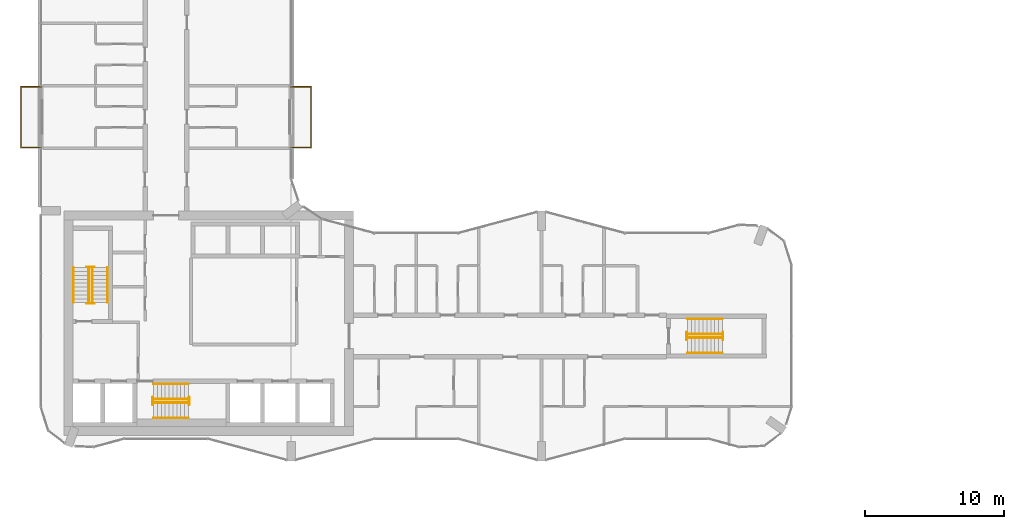
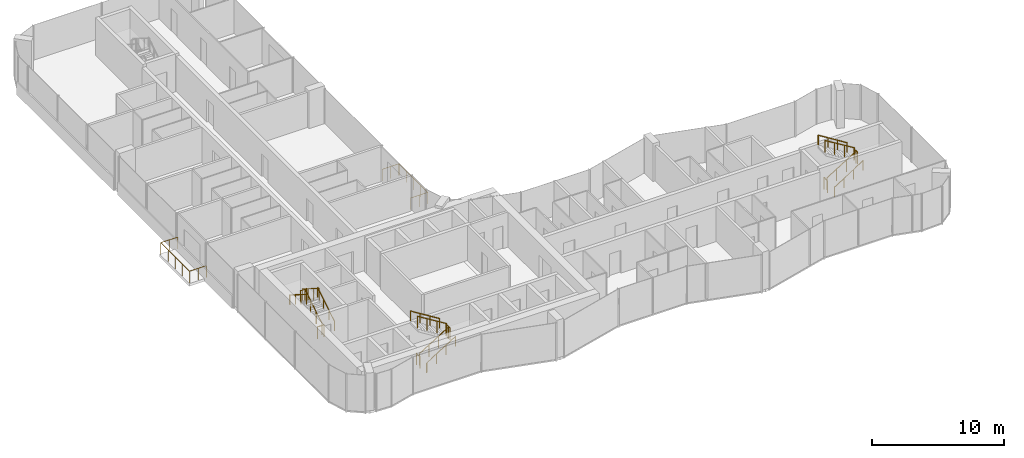
# One storey, part 20 of 22: 20 railings.
"""IFC4 building model written with IfcOpenShell, lengths in metres."""

import ifcopenshell
import ifcopenshell.guid

model = None  # the IFC model being written
_history = None  # IfcOwnerHistory: only IFC2X3 demands one
_inside = {}  # id of a spatial element -> (the spatial element, [elements in it])
_under = {}  # id of a project, library or spatial element -> (it, [spatial elements below it])
_declared = {}  # id of a project -> (the project, [libraries it declares])
_typed = {}  # id of a type object -> (the type object, [elements of that type])
_made_of = {}  # id of a material, layer set ... -> (it, [elements and type objects made of it])


def new_model(schema):
    """Start an empty IFC model of exactly this schema.

    Asked for "IFC4X3", IfcOpenShell would pick the latest addendum, in which some entities
    have other attributes; the version numbers below select the first issue.
    IFC2X3 requires an IfcOwnerHistory on every rooted entity: one is made here for all.
    """
    global model, _history
    if schema == "IFC4X3":
        model = ifcopenshell.file(schema_version=(4, 3, 0, 0))
    else:
        model = ifcopenshell.file(schema=schema)
    _inside.clear()
    _under.clear()
    _declared.clear()
    _typed.clear()
    _made_of.clear()
    _history = None
    if model.schema == "IFC2X3":
        org = make("IfcOrganization", Name="unknown")
        user = make(
            "IfcPersonAndOrganization",
            ThePerson=make("IfcPerson", FamilyName="unknown"),
            TheOrganization=org,
        )
        app = make(
            "IfcApplication",
            ApplicationDeveloper=org,
            Version="unknown",
            ApplicationFullName="unknown",
            ApplicationIdentifier="unknown",
        )
        _history = make(
            "IfcOwnerHistory",
            OwningUser=user,
            OwningApplication=app,
            ChangeAction="ADDED",
            CreationDate=0,
        )
    return model


def make(cls, **values):
    """One entity of the class cls with the attributes given. An attribute that is None is left unset."""
    return model.create_entity(
        cls, **{name: value for name, value in values.items() if value is not None}
    )


def rooted(cls, **values):
    """An entity with a GlobalId (a new one), such as an element, a storey or a relation."""
    return make(cls, GlobalId=ifcopenshell.guid.new(), OwnerHistory=_history, **values)


def si_unit(unit_type, name, prefix=None):
    """IfcSIUnit, for example si_unit("LENGTHUNIT", "METRE", prefix="MILLI")."""
    return make("IfcSIUnit", UnitType=unit_type, Prefix=prefix, Name=name)


def assignment(units):
    """IfcUnitAssignment: the units of a project."""
    return None if units is None else make("IfcUnitAssignment", Units=units)


def point(xyz):
    """IfcCartesianPoint."""
    return None if xyz is None else make("IfcCartesianPoint", Coordinates=xyz)


def direction(xyz):
    """IfcDirection."""
    return None if xyz is None else make("IfcDirection", DirectionRatios=xyz)


def frame(location, z_axis=None, x_axis=None):
    """IfcAxis2Placement3D, a coordinate frame: its origin and axes. An axis left out is left unset."""
    return make(
        "IfcAxis2Placement3D",
        Location=point(location),
        Axis=direction(z_axis),
        RefDirection=direction(x_axis),
    )


def frame_2d(location, x_axis=None):
    """IfcAxis2Placement2D, a coordinate frame in the plane: its origin and x axis."""
    return make(
        "IfcAxis2Placement2D", Location=point(location), RefDirection=direction(x_axis)
    )


def origin():
    """The frame at (0, 0, 0) with its axes left unset."""
    return frame((0.0, 0.0, 0.0))


def origin_2d():
    """The frame at (0, 0) in the plane with its x axis left unset."""
    return frame_2d((0.0, 0.0))


def place(relative_to, where):
    """IfcLocalPlacement: puts the frame where relative to a parent placement (None: the world)."""
    return make(
        "IfcLocalPlacement", PlacementRelTo=relative_to, RelativePlacement=where
    )


def context(
    kind, dimensions, precision=None, world=None, true_north=None, identifier=None
):
    """IfcGeometricRepresentationContext, for example the 3D "Model" context."""
    return make(
        "IfcGeometricRepresentationContext",
        ContextIdentifier=identifier,
        ContextType=kind,
        CoordinateSpaceDimension=dimensions,
        Precision=precision,
        WorldCoordinateSystem=world,
        TrueNorth=true_north,
    )


def subcontext(parent, identifier, kind, view, scale=None):
    """IfcGeometricRepresentationSubContext, for example "Body" below "Model"."""
    return make(
        "IfcGeometricRepresentationSubContext",
        ContextIdentifier=identifier,
        ContextType=kind,
        ParentContext=parent,
        TargetScale=scale,
        TargetView=view,
    )


def project(units=None, contexts=None):
    """IfcProject with its units and contexts."""
    return rooted(
        "IfcProject",
        Name="project",
        RepresentationContexts=contexts,
        UnitsInContext=assignment(units),
    )


def spatial(cls, under=None, at=None, **own):
    """A site, building, storey or space (cls), placed at a placement, below another one or the project."""
    s = rooted(cls, ObjectPlacement=at, **own)
    if under is not None:
        _under.setdefault(under.id(), (under, []))[1].append(s)
    return s


def profile(cls, at=None, kind="AREA", **sizes):
    """A parametric profile (cls). Its sizes go by their IFC names, for example OverallWidth=200.0."""
    return make(cls, ProfileType=kind, Position=at, **sizes)


def circle(**sizes):
    """IfcCircleProfileDef."""
    return profile("IfcCircleProfileDef", **sizes)


def extrude(swept, where, along, depth):
    """IfcExtrudedAreaSolid: the profile swept, set in the frame where, extruded along a direction by depth."""
    return make(
        "IfcExtrudedAreaSolid",
        SweptArea=swept,
        Position=where,
        ExtrudedDirection=direction(along),
        Depth=depth,
    )


def shape(context_of_items, identifier, shape_type, items):
    """IfcShapeRepresentation: the items that make up one representation, for example the "Body"."""
    return make(
        "IfcShapeRepresentation",
        ContextOfItems=context_of_items,
        RepresentationIdentifier=identifier,
        RepresentationType=shape_type,
        Items=items,
    )


def material(Name=None, Category=None):
    """IfcMaterial."""
    return make("IfcMaterial", Name=Name, Category=Category)


def made_of(thing, what):
    """Note that an element or type object is made of a material, layer set ...; save() writes the relation."""
    if what is not None:
        _made_of.setdefault(what.id(), (what, []))[1].append(thing)
    return thing


def type_object(cls, material=None, **own):
    """A type object (cls), such as IfcWallType, which elements share."""
    return made_of(rooted(cls, **own), material)


def element(
    cls,
    number,
    at=None,
    inside=None,
    cuts=None,
    type_object=None,
    material=None,
    context=None,
    identifier="Body",
    shape_type=None,
    held_by="IfcProductDefinitionShape",
    body=None,
    shapes=None,
    **own,
):
    """One element of the class cls, such as IfcWall. Its Tag is "e" and its number.

    at: its placement. inside: the storey or other place that contains it. cuts: it is an
    opening in that element (IfcRelVoidsElement). A single representation is given by context,
    identifier, shape_type and body (its items); several are given by shapes. held_by: the class
    of the entity that holds the representations. save() writes the other relations.
    """
    e = rooted(cls, Tag="e%d" % number, ObjectPlacement=at, **own)
    if body is not None:
        shapes = [shape(context, identifier, shape_type, body)]
    if shapes is not None:
        e.Representation = make(held_by, Representations=shapes)
    if inside is not None:
        _inside.setdefault(inside.id(), (inside, []))[1].append(e)
    if cuts is not None:
        rooted(
            "IfcRelVoidsElement", RelatingBuildingElement=cuts, RelatedOpeningElement=e
        )
    if type_object is not None:
        _typed.setdefault(type_object.id(), (type_object, []))[1].append(e)
    return made_of(e, material)


def aggregate(whole, parts):
    """IfcRelAggregates: a whole, such as a stair, and the parts it consists of."""
    return rooted("IfcRelAggregates", RelatingObject=whole, RelatedObjects=parts)


def save(model, path):
    """Write the relations noted so far, then the file.

    IfcRelAggregates (storeys below a building ...), IfcRelContainedInSpatialStructure (elements
    in a storey), IfcRelDefinesByType, IfcRelAssociatesMaterial and IfcRelDeclares: one each for
    every whole, place, type object, material and project.
    """
    for whole, parts in _under.values():
        aggregate(whole, parts)
    for where, things in _inside.values():
        rooted(
            "IfcRelContainedInSpatialStructure",
            RelatedElements=things,
            RelatingStructure=where,
        )
    for kind, things in _typed.values():
        rooted("IfcRelDefinesByType", RelatedObjects=things, RelatingType=kind)
    for what, things in _made_of.values():
        rooted("IfcRelAssociatesMaterial", RelatedObjects=things, RelatingMaterial=what)
    for by, libraries in _declared.values():
        rooted("IfcRelDeclares", RelatingContext=by, RelatedDefinitions=libraries)
    model.write(path)


model = new_model("IFC4")

# Units and contexts
model_context = context("Model", 3, precision=1e-05, world=origin(), true_north=direction((0.0, 1.0)))
body_context = subcontext(model_context, "Body", "Model", "MODEL_VIEW")
ifc_project = project(units=[si_unit("LENGTHUNIT", "METRE"), si_unit("AREAUNIT", "SQUARE_METRE"), si_unit("VOLUMEUNIT", "CUBIC_METRE"), si_unit("PLANEANGLEUNIT", "RADIAN"), si_unit("MASSUNIT", "GRAM", prefix="KILO")], contexts=[model_context])

# Site, building, storey
site_placement = place(None, origin())
site = spatial("IfcSite", under=ifc_project, at=site_placement, CompositionType="ELEMENT")
building_placement = place(site_placement, origin())
building = spatial("IfcBuilding", under=site, at=building_placement, Name="Plateau Cross Towers", CompositionType="ELEMENT")
storey_placement = place(building_placement, frame((0.0, 0.0, 106.300048828125)))
storey = spatial("IfcBuildingStorey", under=building, at=storey_placement, Name="L27", CompositionType="ELEMENT", Elevation=106.300048828125)

# Railings
ifc_material_1 = material(Name="Stainless steel and toughened glass", Category="steel")
railing_type_1 = type_object("IfcRailingType", Name="Glass balustrade guard 1100", PredefinedType="GUARDRAIL", material=ifc_material_1)
railing_1_placement = place(storey_placement, frame((0.050048828125, 22.570068359375, 0.0)))
element("IfcRailing", 1, at=railing_1_placement, inside=storey, type_object=railing_type_1, Name="Guard guard1", PredefinedType="GUARDRAIL", context=body_context, shape_type="SweptSolid", body=[
    extrude(circle(Radius=0.02392578125, at=origin_2d()), frame((0.0, 0.0, 1.076171875), z_axis=(-1.0, 0.0, 0.0), x_axis=(0.0, -1.0, 0.0)), (0.0, 0.0, 1.0), 1.47998046875),
    extrude(circle(Radius=0.02392578125, at=origin_2d()), frame((-1.47998046875, 0.0, 1.076171875), z_axis=(0.0, 1.0, 0.0), x_axis=(-1.0, 0.0, 0.0)), (0.0, 0.0, 1.0), 4.35986328125),
    extrude(circle(Radius=0.02392578125, at=origin_2d()), frame((-1.47998046875, 4.35986328125, 1.076171875), z_axis=(1.0, 0.0, 0.0), x_axis=(0.0, 1.0, 0.0)), (0.0, 0.0, 1.0), 1.47998046875),
    extrude(circle(Radius=0.02099609375, at=origin_2d()), origin(), (0.0, 0.0, 1.0), 1.052001953125),
    extrude(circle(Radius=0.02099609375, at=origin_2d()), frame((-0.739990234375, 0.0, 0.0)), (0.0, 0.0, 1.0), 1.052001953125),
    extrude(circle(Radius=0.02099609375, at=origin_2d()), frame((-1.47998046875, 0.0, 0.0)), (0.0, 0.0, 1.0), 1.052001953125),
    extrude(circle(Radius=0.02099609375, at=origin_2d()), frame((-1.47998046875, 1.08984375, 0.0)), (0.0, 0.0, 1.0), 1.052001953125),
    extrude(circle(Radius=0.02099609375, at=origin_2d()), frame((-1.47998046875, 2.179931640625, 0.0)), (0.0, 0.0, 1.0), 1.052001953125),
    extrude(circle(Radius=0.02099609375, at=origin_2d()), frame((-1.47998046875, 3.27001953125, 0.0)), (0.0, 0.0, 1.0), 1.052001953125),
    extrude(circle(Radius=0.02099609375, at=origin_2d()), frame((-1.47998046875, 4.35986328125, 0.0)), (0.0, 0.0, 1.0), 1.052001953125),
    extrude(circle(Radius=0.02099609375, at=origin_2d()), frame((-0.739990234375, 4.35986328125, 0.0)), (0.0, 0.0, 1.0), 1.052001953125),
    extrude(circle(Radius=0.02099609375, at=origin_2d()), frame((0.0, 4.35986328125, 0.0)), (0.0, 0.0, 1.0), 1.052001953125),
])
railing_2_placement = place(storey_placement, frame((17.949951171875, 26.929931640625, 0.0)))
element("IfcRailing", 2, at=railing_2_placement, inside=storey, type_object=railing_type_1, Name="Guard guard1", PredefinedType="GUARDRAIL", context=body_context, shape_type="SweptSolid", body=[
    extrude(circle(Radius=0.02392578125, at=origin_2d()), frame((0.0, 0.0, 1.076171875), z_axis=(1.0, 0.0, 0.0), x_axis=(0.0, 1.0, 0.0)), (0.0, 0.0, 1.0), 1.47998046875),
    extrude(circle(Radius=0.02392578125, at=origin_2d()), frame((1.47998046875, 0.0, 1.076171875), z_axis=(0.0, -1.0, 0.0), x_axis=(1.0, 0.0, 0.0)), (0.0, 0.0, 1.0), 4.35986328125),
    extrude(circle(Radius=0.02392578125, at=origin_2d()), frame((1.47998046875, -4.35986328125, 1.076171875), z_axis=(-1.0, 0.0, 0.0), x_axis=(0.0, -1.0, 0.0)), (0.0, 0.0, 1.0), 1.47998046875),
    extrude(circle(Radius=0.02099609375, at=origin_2d()), origin(), (0.0, 0.0, 1.0), 1.052001953125),
    extrude(circle(Radius=0.02099609375, at=origin_2d()), frame((0.739990234375, 0.0, 0.0)), (0.0, 0.0, 1.0), 1.052001953125),
    extrude(circle(Radius=0.02099609375, at=origin_2d()), frame((1.47998046875, 0.0, 0.0)), (0.0, 0.0, 1.0), 1.052001953125),
    extrude(circle(Radius=0.02099609375, at=origin_2d()), frame((1.47998046875, -1.08984375, 0.0)), (0.0, 0.0, 1.0), 1.052001953125),
    extrude(circle(Radius=0.02099609375, at=origin_2d()), frame((1.47998046875, -2.179931640625, 0.0)), (0.0, 0.0, 1.0), 1.052001953125),
    extrude(circle(Radius=0.02099609375, at=origin_2d()), frame((1.47998046875, -3.27001953125, 0.0)), (0.0, 0.0, 1.0), 1.052001953125),
    extrude(circle(Radius=0.02099609375, at=origin_2d()), frame((1.47998046875, -4.35986328125, 0.0)), (0.0, 0.0, 1.0), 1.052001953125),
    extrude(circle(Radius=0.02099609375, at=origin_2d()), frame((0.739990234375, -4.35986328125, 0.0)), (0.0, 0.0, 1.0), 1.052001953125),
    extrude(circle(Radius=0.02099609375, at=origin_2d()), frame((0.0, -4.35986328125, 0.0)), (0.0, 0.0, 1.0), 1.052001953125),
])
railing_type_2 = type_object("IfcRailingType", Name="RL-GUARD-1100", PredefinedType="GUARDRAIL", material=ifc_material_1)
railing_3_placement = place(storey_placement, frame((3.699951171875, 11.39990234375, 0.175048828125)))
element("IfcRailing", 3, at=railing_3_placement, inside=storey, type_object=railing_type_2, Name="L27 ST-1 stair guard 1", PredefinedType="GUARDRAIL", context=body_context, shape_type="SweptSolid", body=[
    extrude(circle(Radius=0.02392578125, at=origin_2d()), frame((0.0, 0.0, 1.076171875), z_axis=(0.0, 0.848007534815, 0.529984170421), x_axis=(-1.0, 0.0, 0.0)), (0.0, 0.0, 1.0), 2.9716796875),
    extrude(circle(Radius=0.02099609375, at=origin_2d()), origin(), (0.0, 0.0, 1.0), 1.052001953125),
    extrude(circle(Radius=0.02099609375, at=origin_2d()), frame((0.0, 0.840087890625, 0.52490234375)), (0.0, 0.0, 1.0), 1.052001953125),
    extrude(circle(Radius=0.02099609375, at=origin_2d()), frame((0.0, 1.679931640625, 1.050048828125)), (0.0, 0.0, 1.0), 1.052001953125),
    extrude(circle(Radius=0.02099609375, at=origin_2d()), frame((0.0, 2.52001953125, 1.574951171875)), (0.0, 0.0, 1.0), 1.052001953125),
])
railing_4_placement = place(storey_placement, frame((3.85009765625, 13.969970703125, 1.75)))
element("IfcRailing", 4, at=railing_4_placement, inside=storey, type_object=railing_type_2, Name="L27 ST-1 stair guard 2", PredefinedType="GUARDRAIL", context=body_context, shape_type="SweptSolid", body=[
    extrude(circle(Radius=0.02392578125, at=origin_2d()), frame((0.0, 0.0, 1.076171875), z_axis=(-1.0, 0.0, 0.0), x_axis=(0.0, -1.0, 0.0)), (0.0, 0.0, 1.0), 0.550048828125),
    extrude(circle(Radius=0.02099609375, at=origin_2d()), origin(), (0.0, 0.0, 1.0), 1.052001953125),
    extrude(circle(Radius=0.02099609375, at=origin_2d()), frame((-0.550048828125, 0.0, 0.0)), (0.0, 0.0, 1.0), 1.052001953125),
])
railing_5_placement = place(storey_placement, frame((3.449951171875, 13.919921875, 1.925048828125)))
element("IfcRailing", 5, at=railing_5_placement, inside=storey, type_object=railing_type_2, Name="L27 ST-1 stair guard 3", PredefinedType="GUARDRAIL", context=body_context, shape_type="SweptSolid", body=[
    extrude(circle(Radius=0.02392578125, at=origin_2d()), frame((0.0, 0.0, 1.076171875), z_axis=(0.0, -0.852616386126, 0.522537365276), x_axis=(1.0, 0.0, 0.0)), (0.0, 0.0, 1.0), 3.01416015625),
    extrude(circle(Radius=0.02099609375, at=origin_2d()), origin(), (0.0, 0.0, 1.0), 1.052001953125),
    extrude(circle(Radius=0.02099609375, at=origin_2d()), frame((0.0, -0.856689453125, 0.52490234375)), (0.0, 0.0, 1.0), 1.052001953125),
    extrude(circle(Radius=0.02099609375, at=origin_2d()), frame((0.0, -1.713134765625, 1.050048828125)), (0.0, 0.0, 1.0), 1.052001953125),
    extrude(circle(Radius=0.02099609375, at=origin_2d()), frame((0.0, -2.56982421875, 1.574951171875)), (0.0, 0.0, 1.0), 1.052001953125),
])
railing_6_placement = place(storey_placement, frame((3.85009765625, 11.35009765625, 0.0)))
element("IfcRailing", 6, at=railing_6_placement, inside=storey, type_object=railing_type_2, Name="L27 ST-1 stair guard 4", PredefinedType="GUARDRAIL", context=body_context, shape_type="SweptSolid", body=[
    extrude(circle(Radius=0.02392578125, at=origin_2d()), frame((0.0, 0.0, 1.076171875), z_axis=(-1.0, 0.0, 0.0), x_axis=(0.0, -1.0, 0.0)), (0.0, 0.0, 1.0), 0.550048828125),
    extrude(circle(Radius=0.02099609375, at=origin_2d()), origin(), (0.0, 0.0, 1.0), 1.052001953125),
    extrude(circle(Radius=0.02099609375, at=origin_2d()), frame((-0.550048828125, 0.0, 0.0)), (0.0, 0.0, 1.0), 1.052001953125),
])
railing_7_placement = place(storey_placement, frame((8.10009765625, 4.199951171875, 0.175048828125)))
element("IfcRailing", 7, at=railing_7_placement, inside=storey, type_object=railing_type_2, Name="L27 ST-2 stair guard 1", PredefinedType="GUARDRAIL", context=body_context, shape_type="SweptSolid", body=[
    extrude(circle(Radius=0.02392578125, at=origin_2d()), frame((0.0, 0.0, 1.076171875), z_axis=(0.848007534815, 0.0, 0.529984170421), x_axis=(0.0, 1.0, 0.0)), (0.0, 0.0, 1.0), 2.9716796875),
    extrude(circle(Radius=0.02099609375, at=origin_2d()), origin(), (0.0, 0.0, 1.0), 1.052001953125),
    extrude(circle(Radius=0.02099609375, at=origin_2d()), frame((0.840087890625, 0.0, 0.52490234375)), (0.0, 0.0, 1.0), 1.052001953125),
    extrude(circle(Radius=0.02099609375, at=origin_2d()), frame((1.679931640625, 0.0, 1.050048828125)), (0.0, 0.0, 1.0), 1.052001953125),
    extrude(circle(Radius=0.02099609375, at=origin_2d()), frame((2.52001953125, 0.0, 1.574951171875)), (0.0, 0.0, 1.0), 1.052001953125),
])
railing_8_placement = place(storey_placement, frame((10.669921875, 4.050048828125, 1.75)))
element("IfcRailing", 8, at=railing_8_placement, inside=storey, type_object=railing_type_2, Name="L27 ST-2 stair guard 2", PredefinedType="GUARDRAIL", context=body_context, shape_type="SweptSolid", body=[
    extrude(circle(Radius=0.02392578125, at=origin_2d()), frame((0.0, 0.0, 1.076171875), z_axis=(0.0, 1.0, 0.0), x_axis=(-1.0, 0.0, 0.0)), (0.0, 0.0, 1.0), 0.550048828125),
    extrude(circle(Radius=0.02099609375, at=origin_2d()), origin(), (0.0, 0.0, 1.0), 1.052001953125),
    extrude(circle(Radius=0.02099609375, at=origin_2d()), frame((0.0, 0.550048828125, 0.0)), (0.0, 0.0, 1.0), 1.052001953125),
])
railing_9_placement = place(storey_placement, frame((10.6201171875, 4.449951171875, 1.925048828125)))
element("IfcRailing", 9, at=railing_9_placement, inside=storey, type_object=railing_type_2, Name="L27 ST-2 stair guard 3", PredefinedType="GUARDRAIL", context=body_context, shape_type="SweptSolid", body=[
    extrude(circle(Radius=0.02392578125, at=origin_2d()), frame((0.0, 0.0, 1.076171875), z_axis=(-0.852638500773, 0.0, 0.522501279423), x_axis=(0.0, -1.0, 0.0)), (0.0, 0.0, 1.0), 3.01416015625),
    extrude(circle(Radius=0.02099609375, at=origin_2d()), origin(), (0.0, 0.0, 1.0), 1.052001953125),
    extrude(circle(Radius=0.02099609375, at=origin_2d()), frame((-0.856689453125, 0.0, 0.52490234375)), (0.0, 0.0, 1.0), 1.052001953125),
    extrude(circle(Radius=0.02099609375, at=origin_2d()), frame((-1.71337890625, 0.0, 1.050048828125)), (0.0, 0.0, 1.0), 1.052001953125),
    extrude(circle(Radius=0.02099609375, at=origin_2d()), frame((-2.570068359375, 0.0, 1.574951171875)), (0.0, 0.0, 1.0), 1.052001953125),
])
railing_10_placement = place(storey_placement, frame((8.050048828125, 4.050048828125, 0.0)))
element("IfcRailing", 10, at=railing_10_placement, inside=storey, type_object=railing_type_2, Name="L27 ST-2 stair guard 4", PredefinedType="GUARDRAIL", context=body_context, shape_type="SweptSolid", body=[
    extrude(circle(Radius=0.02392578125, at=origin_2d()), frame((0.0, 0.0, 1.076171875), z_axis=(0.0, 1.0, 0.0), x_axis=(-1.0, 0.0, 0.0)), (0.0, 0.0, 1.0), 0.550048828125),
    extrude(circle(Radius=0.02099609375, at=origin_2d()), origin(), (0.0, 0.0, 1.0), 1.052001953125),
    extrude(circle(Radius=0.02099609375, at=origin_2d()), frame((0.0, 0.550048828125, 0.0)), (0.0, 0.0, 1.0), 1.052001953125),
])
railing_11_placement = place(storey_placement, frame((46.5, 8.875, 0.175048828125)))
element("IfcRailing", 11, at=railing_11_placement, inside=storey, type_object=railing_type_2, Name="L27 ES-E stair guard 1", PredefinedType="GUARDRAIL", context=body_context, shape_type="SweptSolid", body=[
    extrude(circle(Radius=0.02392578125, at=origin_2d()), frame((0.0, 0.0, 1.076171875), z_axis=(0.848007534815, 0.0, 0.529984170421), x_axis=(0.0, 1.0, 0.0)), (0.0, 0.0, 1.0), 2.9716796875),
    extrude(circle(Radius=0.02099609375, at=origin_2d()), origin(), (0.0, 0.0, 1.0), 1.052001953125),
    extrude(circle(Radius=0.02099609375, at=origin_2d()), frame((0.840087890625, 0.0, 0.52490234375)), (0.0, 0.0, 1.0), 1.052001953125),
    extrude(circle(Radius=0.02099609375, at=origin_2d()), frame((1.679931640625, 0.0, 1.050048828125)), (0.0, 0.0, 1.0), 1.052001953125),
    extrude(circle(Radius=0.02099609375, at=origin_2d()), frame((2.52001953125, 0.0, 1.574951171875)), (0.0, 0.0, 1.0), 1.052001953125),
])
railing_12_placement = place(storey_placement, frame((49.070068359375, 8.72509765625, 1.75)))
element("IfcRailing", 12, at=railing_12_placement, inside=storey, type_object=railing_type_2, Name="L27 ES-E stair guard 2", PredefinedType="GUARDRAIL", context=body_context, shape_type="SweptSolid", body=[
    extrude(circle(Radius=0.02392578125, at=origin_2d()), frame((0.0, 0.0, 1.076171875), z_axis=(0.0, 1.0, 0.0), x_axis=(-1.0, 0.0, 0.0)), (0.0, 0.0, 1.0), 0.5498046875),
    extrude(circle(Radius=0.02099609375, at=origin_2d()), origin(), (0.0, 0.0, 1.0), 1.052001953125),
    extrude(circle(Radius=0.02099609375, at=origin_2d()), frame((0.0, 0.5498046875, 0.0)), (0.0, 0.0, 1.0), 1.052001953125),
])
railing_13_placement = place(storey_placement, frame((49.02001953125, 9.125, 1.925048828125)))
element("IfcRailing", 13, at=railing_13_placement, inside=storey, type_object=railing_type_2, Name="L27 ES-E stair guard 3", PredefinedType="GUARDRAIL", context=body_context, shape_type="SweptSolid", body=[
    extrude(circle(Radius=0.02392578125, at=origin_2d()), frame((0.0, 0.0, 1.076171875), z_axis=(-0.852638500773, 0.0, 0.522501279423), x_axis=(0.0, -1.0, 0.0)), (0.0, 0.0, 1.0), 3.01416015625),
    extrude(circle(Radius=0.02099609375, at=origin_2d()), origin(), (0.0, 0.0, 1.0), 1.052001953125),
    extrude(circle(Radius=0.02099609375, at=origin_2d()), frame((-0.856689453125, 0.0, 0.52490234375)), (0.0, 0.0, 1.0), 1.052001953125),
    extrude(circle(Radius=0.02099609375, at=origin_2d()), frame((-1.71337890625, 0.0, 1.050048828125)), (0.0, 0.0, 1.0), 1.052001953125),
    extrude(circle(Radius=0.02099609375, at=origin_2d()), frame((-2.570068359375, 0.0, 1.574951171875)), (0.0, 0.0, 1.0), 1.052001953125),
])
railing_14_placement = place(storey_placement, frame((46.449951171875, 8.72509765625, 0.0)))
element("IfcRailing", 14, at=railing_14_placement, inside=storey, type_object=railing_type_2, Name="L27 ES-E stair guard 4", PredefinedType="GUARDRAIL", context=body_context, shape_type="SweptSolid", body=[
    extrude(circle(Radius=0.02392578125, at=origin_2d()), frame((0.0, 0.0, 1.076171875), z_axis=(0.0, 1.0, 0.0), x_axis=(-1.0, 0.0, 0.0)), (0.0, 0.0, 1.0), 0.5498046875),
    extrude(circle(Radius=0.02099609375, at=origin_2d()), origin(), (0.0, 0.0, 1.0), 1.052001953125),
    extrude(circle(Radius=0.02099609375, at=origin_2d()), frame((0.0, 0.5498046875, 0.0)), (0.0, 0.0, 1.0), 1.052001953125),
])
ifc_material_2 = material(Name="Black anodised aluminium", Category="aluminium")
railing_type_3 = type_object("IfcRailingType", Name="RL-HANDRAIL-900", PredefinedType="HANDRAIL", material=ifc_material_2)
railing_15_placement = place(storey_placement, frame((4.800048828125, 11.39990234375, 0.175048828125)))
element("IfcRailing", 15, at=railing_15_placement, inside=storey, type_object=railing_type_3, Name="L27 ST-1 stair handrail 1", PredefinedType="HANDRAIL", context=body_context, shape_type="SweptSolid", body=[
    extrude(circle(Radius=0.02392578125, at=origin_2d()), frame((0.0, 0.0, 0.8759765625), z_axis=(0.0, 0.848007534815, 0.529984170421), x_axis=(-1.0, 0.0, 0.0)), (0.0, 0.0, 1.0), 2.9716796875),
    extrude(circle(Radius=0.02099609375, at=origin_2d()), origin(), (0.0, 0.0, 1.0), 0.851806640625),
    extrude(circle(Radius=0.02099609375, at=origin_2d()), frame((0.0, 0.840087890625, 0.52490234375)), (0.0, 0.0, 1.0), 0.851806640625),
    extrude(circle(Radius=0.02099609375, at=origin_2d()), frame((0.0, 1.679931640625, 1.050048828125)), (0.0, 0.0, 1.0), 0.851806640625),
    extrude(circle(Radius=0.02099609375, at=origin_2d()), frame((0.0, 2.52001953125, 1.574951171875)), (0.0, 0.0, 1.0), 0.851806640625),
])
railing_16_placement = place(storey_placement, frame((2.35009765625, 13.919921875, 1.925048828125)))
element("IfcRailing", 16, at=railing_16_placement, inside=storey, type_object=railing_type_3, Name="L27 ST-1 stair handrail 2", PredefinedType="HANDRAIL", context=body_context, shape_type="SweptSolid", body=[
    extrude(circle(Radius=0.02392578125, at=origin_2d()), frame((0.0, 0.0, 0.8759765625), z_axis=(0.0, -0.848007534815, 0.529984170421), x_axis=(1.0, 0.0, 0.0)), (0.0, 0.0, 1.0), 2.9716796875),
    extrude(circle(Radius=0.02099609375, at=origin_2d()), origin(), (0.0, 0.0, 1.0), 0.851806640625),
    extrude(circle(Radius=0.02099609375, at=origin_2d()), frame((0.0, -0.840087890625, 0.52490234375)), (0.0, 0.0, 1.0), 0.851806640625),
    extrude(circle(Radius=0.02099609375, at=origin_2d()), frame((0.0, -1.679931640625, 1.050048828125)), (0.0, 0.0, 1.0), 0.851806640625),
    extrude(circle(Radius=0.02099609375, at=origin_2d()), frame((0.0, -2.52001953125, 1.574951171875)), (0.0, 0.0, 1.0), 0.851806640625),
])
railing_17_placement = place(storey_placement, frame((8.10009765625, 3.10009765625, 0.175048828125)))
element("IfcRailing", 17, at=railing_17_placement, inside=storey, type_object=railing_type_3, Name="L27 ST-2 stair handrail 1", PredefinedType="HANDRAIL", context=body_context, shape_type="SweptSolid", body=[
    extrude(circle(Radius=0.02392578125, at=origin_2d()), frame((0.0, 0.0, 0.8759765625), z_axis=(0.848007534815, 0.0, 0.529984170421), x_axis=(0.0, 1.0, 0.0)), (0.0, 0.0, 1.0), 2.9716796875),
    extrude(circle(Radius=0.02099609375, at=origin_2d()), origin(), (0.0, 0.0, 1.0), 0.851806640625),
    extrude(circle(Radius=0.02099609375, at=origin_2d()), frame((0.840087890625, 0.0, 0.52490234375)), (0.0, 0.0, 1.0), 0.851806640625),
    extrude(circle(Radius=0.02099609375, at=origin_2d()), frame((1.679931640625, 0.0, 1.050048828125)), (0.0, 0.0, 1.0), 0.851806640625),
    extrude(circle(Radius=0.02099609375, at=origin_2d()), frame((2.52001953125, 0.0, 1.574951171875)), (0.0, 0.0, 1.0), 0.851806640625),
])
railing_18_placement = place(storey_placement, frame((10.6201171875, 5.550048828125, 1.925048828125)))
element("IfcRailing", 18, at=railing_18_placement, inside=storey, type_object=railing_type_3, Name="L27 ST-2 stair handrail 2", PredefinedType="HANDRAIL", context=body_context, shape_type="SweptSolid", body=[
    extrude(circle(Radius=0.02392578125, at=origin_2d()), frame((0.0, 0.0, 0.8759765625), z_axis=(-0.848007534815, 0.0, 0.529984170421), x_axis=(0.0, -1.0, 0.0)), (0.0, 0.0, 1.0), 2.9716796875),
    extrude(circle(Radius=0.02099609375, at=origin_2d()), origin(), (0.0, 0.0, 1.0), 0.851806640625),
    extrude(circle(Radius=0.02099609375, at=origin_2d()), frame((-0.840087890625, 0.0, 0.52490234375)), (0.0, 0.0, 1.0), 0.851806640625),
    extrude(circle(Radius=0.02099609375, at=origin_2d()), frame((-1.679931640625, 0.0, 1.050048828125)), (0.0, 0.0, 1.0), 0.851806640625),
    extrude(circle(Radius=0.02099609375, at=origin_2d()), frame((-2.52001953125, 0.0, 1.574951171875)), (0.0, 0.0, 1.0), 0.851806640625),
])
railing_19_placement = place(storey_placement, frame((46.5, 7.77490234375, 0.175048828125)))
element("IfcRailing", 19, at=railing_19_placement, inside=storey, type_object=railing_type_3, Name="L27 ES-E stair handrail 1", PredefinedType="HANDRAIL", context=body_context, shape_type="SweptSolid", body=[
    extrude(circle(Radius=0.02392578125, at=origin_2d()), frame((0.0, 0.0, 0.8759765625), z_axis=(0.848007534815, 0.0, 0.529984170421), x_axis=(0.0, 1.0, 0.0)), (0.0, 0.0, 1.0), 2.9716796875),
    extrude(circle(Radius=0.02099609375, at=origin_2d()), origin(), (0.0, 0.0, 1.0), 0.851806640625),
    extrude(circle(Radius=0.02099609375, at=origin_2d()), frame((0.840087890625, 0.0, 0.52490234375)), (0.0, 0.0, 1.0), 0.851806640625),
    extrude(circle(Radius=0.02099609375, at=origin_2d()), frame((1.679931640625, 0.0, 1.050048828125)), (0.0, 0.0, 1.0), 0.851806640625),
    extrude(circle(Radius=0.02099609375, at=origin_2d()), frame((2.52001953125, 0.0, 1.574951171875)), (0.0, 0.0, 1.0), 0.851806640625),
])
railing_20_placement = place(storey_placement, frame((49.02001953125, 10.22509765625, 1.925048828125)))
element("IfcRailing", 20, at=railing_20_placement, inside=storey, type_object=railing_type_3, Name="L27 ES-E stair handrail 2", PredefinedType="HANDRAIL", context=body_context, shape_type="SweptSolid", body=[
    extrude(circle(Radius=0.02392578125, at=origin_2d()), frame((0.0, 0.0, 0.8759765625), z_axis=(-0.848007534815, 0.0, 0.529984170421), x_axis=(0.0, -1.0, 0.0)), (0.0, 0.0, 1.0), 2.9716796875),
    extrude(circle(Radius=0.02099609375, at=origin_2d()), origin(), (0.0, 0.0, 1.0), 0.851806640625),
    extrude(circle(Radius=0.02099609375, at=origin_2d()), frame((-0.840087890625, 0.0, 0.52490234375)), (0.0, 0.0, 1.0), 0.851806640625),
    extrude(circle(Radius=0.02099609375, at=origin_2d()), frame((-1.679931640625, 0.0, 1.050048828125)), (0.0, 0.0, 1.0), 0.851806640625),
    extrude(circle(Radius=0.02099609375, at=origin_2d()), frame((-2.52001953125, 0.0, 1.574951171875)), (0.0, 0.0, 1.0), 0.851806640625),
])

save(model, "model.ifc")
